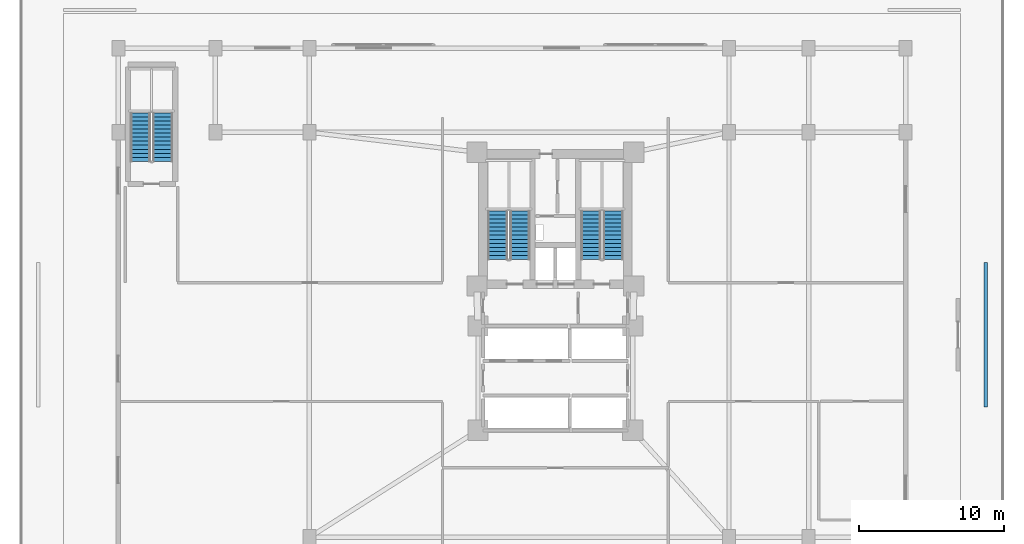
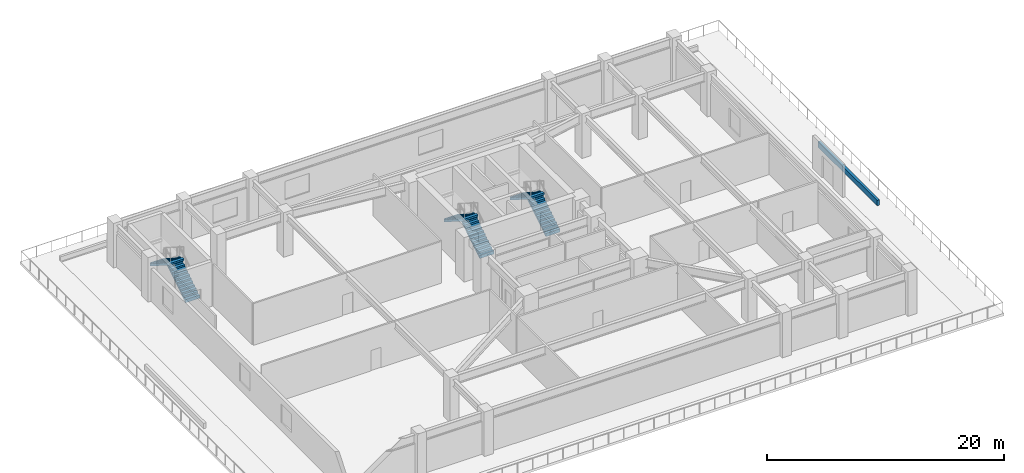
# One storey, part 8 of 10: 6 stair flights, 1 wall, 3 elements without a shape of their own.
"""IFC4 building model written with IfcOpenShell, lengths in metres."""

from ifc_helpers import new_model, si_unit, direction, frame, frame_2d, origin, place, context, subcontext, project, spatial, polyline, rectangle, outline, extrude, material, layer, layer_set, type_object, element, aggregate, save


model = new_model("IFC4")

# Units and contexts
model_context = context("Model", 3, precision=1e-05, world=origin(), true_north=direction((0.0, 1.0)))
body_context = subcontext(model_context, "Body", "Model", "MODEL_VIEW")
ifc_project = project(units=[si_unit("LENGTHUNIT", "METRE"), si_unit("AREAUNIT", "SQUARE_METRE"), si_unit("VOLUMEUNIT", "CUBIC_METRE"), si_unit("PLANEANGLEUNIT", "RADIAN"), si_unit("MASSUNIT", "GRAM", prefix="KILO")], contexts=[model_context])

# Site, building, storey
site_placement = place(None, origin())
site = spatial("IfcSite", under=ifc_project, at=site_placement, CompositionType="ELEMENT")
building_placement = place(site_placement, origin())
building = spatial("IfcBuilding", under=site, at=building_placement, Name="Varnakorn Sky Granary", CompositionType="ELEMENT")
storey_placement = place(building_placement, frame((0.0, 0.0, 9.199951171875)))
storey = spatial("IfcBuildingStorey", under=building, at=storey_placement, Name="L02", CompositionType="ELEMENT", Elevation=9.199951171875)

# Wall
ifc_material_1 = material(Name="Precast concrete C40/50", Category="concrete")
ifc_layer = layer(ifc_material_1, 0.239990234375, Name="Precast concrete C40/50")
ifc_layer_set = layer_set([ifc_layer], Name="Precast concrete C40/50")
wall_type = type_object("IfcWallType", Name="WT-WP-PLN-240", PredefinedType="PARAPET", material=ifc_layer_set)
wall_placement = place(storey_placement, frame((32.75, -5.0, 0.0), z_axis=(0.0, 0.0, 1.0), x_axis=(0.0, 1.0, 0.0)))
element("IfcWall", 1, at=wall_placement, inside=storey, type_object=wall_type, Name="Cascading Terrace Cultivar Planter Bed PLANTER L02-2", PredefinedType="PARAPET", context=body_context, shape_type="SweptSolid", body=[
    extrude(rectangle(XDim=10.0, YDim=0.239990234375, at=frame_2d((5.0, 0.0))), origin(), (0.0, 0.0, 1.0), 0.550048828125),
])

# Stair, stair flights
ifc_material_2 = material(Name="Concrete C40/50", Category="concrete")
stair_type = type_object("IfcStairType", Name="ST-MAIN-ASSEMBLY", PredefinedType="HALF_TURN_STAIR", material=ifc_material_2)
stair_1_placement = place(storey_placement, origin())
stair_1 = element("IfcStair", 2, at=stair_1_placement, inside=storey, type_object=stair_type, Name="L02 Protected Exit Stair ST-1", PredefinedType="HALF_TURN_STAIR")
stair_flight_type = type_object("IfcStairFlightType", Name="ST-MAIN-FLIGHT", PredefinedType="STRAIGHT", material=ifc_material_2)
stair_flight_1_placement = place(storey_placement, frame((0.550048828125, 5.199951171875, 0.0), z_axis=(0.0, 0.0, 1.0), x_axis=(0.0, 1.0, 0.0)))
stair_flight_1 = element("IfcStairFlight", 3, at=stair_flight_1_placement, type_object=stair_flight_type, Name="ST-1 flight 1", NumberOfRisers=13, NumberOfTreads=12, PredefinedType="STRAIGHT", RiserHeight=0.176923077, TreadLength=0.28, context=body_context, shape_type="SweptSolid", body=[
    extrude(outline(polyline([(0.0, -0.14990234375), (0.0, 0.0), (0.0, 0.177001953125), (0.280029296875, 0.177001953125), (0.280029296875, 0.353759765625), (0.56005859375, 0.353759765625), (0.56005859375, 0.53076171875), (0.840087890625, 0.53076171875), (0.840087890625, 0.707763671875), (1.1201171875, 0.707763671875), (1.1201171875, 0.884521484375), (1.39990234375, 0.884521484375), (1.39990234375, 1.0615234375), (1.679931640625, 1.0615234375), (1.679931640625, 1.238525390625), (1.9599609375, 1.238525390625), (1.9599609375, 1.415283203125), (2.239990234375, 1.415283203125), (2.239990234375, 1.59228515625), (2.52001953125, 1.59228515625), (2.52001953125, 1.769287109375), (2.800048828125, 1.769287109375), (2.800048828125, 1.946044921875), (3.080078125, 1.946044921875), (3.080078125, 2.123046875), (3.360107421875, 2.123046875), (3.360107421875, 2.300048828125), (3.360107421875, 1.94580078125), (0.050048828125, -0.14990234375), (0.0, -0.14990234375)])), frame((0.0, 0.68994140625, 0.0), z_axis=(0.0, -1.0, 0.0), x_axis=(1.0, 0.0, 0.0)), (0.0, 0.0, 1.0), 1.3798828125),
])
stair_flight_2_placement = place(storey_placement, frame((-0.97998046875, 8.56005859375, 2.300048828125), z_axis=(0.0, 0.0, 1.0), x_axis=(0.0, -1.0, 0.0)))
stair_flight_2 = element("IfcStairFlight", 4, at=stair_flight_2_placement, type_object=stair_flight_type, Name="ST-1 flight 2", NumberOfRisers=13, NumberOfTreads=12, PredefinedType="STRAIGHT", RiserHeight=0.176923077, TreadLength=0.28, context=body_context, shape_type="SweptSolid", body=[
    extrude(outline(polyline([(0.0, -0.14990234375), (0.0, 0.0), (0.0, 0.177001953125), (0.280029296875, 0.177001953125), (0.280029296875, 0.353759765625), (0.56005859375, 0.353759765625), (0.56005859375, 0.53076171875), (0.840087890625, 0.53076171875), (0.840087890625, 0.707763671875), (1.1201171875, 0.707763671875), (1.1201171875, 0.884521484375), (1.39990234375, 0.884521484375), (1.39990234375, 1.0615234375), (1.679931640625, 1.0615234375), (1.679931640625, 1.238525390625), (1.9599609375, 1.238525390625), (1.9599609375, 1.415283203125), (2.239990234375, 1.415283203125), (2.239990234375, 1.59228515625), (2.52001953125, 1.59228515625), (2.52001953125, 1.769287109375), (2.800048828125, 1.769287109375), (2.800048828125, 1.946044921875), (3.080078125, 1.946044921875), (3.080078125, 2.123046875), (3.360107421875, 2.123046875), (3.360107421875, 2.300048828125), (3.360107421875, 1.94580078125), (0.050048828125, -0.14990234375), (0.0, -0.14990234375)])), frame((0.0, 0.68994140625, 0.0), z_axis=(0.0, -1.0, 0.0), x_axis=(1.0, 0.0, 0.0)), (0.0, 0.0, 1.0), 1.3798828125),
])
aggregate(stair_1, [stair_flight_1, stair_flight_2])

stair_2_placement = place(storey_placement, origin())
stair_2 = element("IfcStair", 5, at=stair_2_placement, inside=storey, type_object=stair_type, Name="L02 Protected Exit Stair ST-2", PredefinedType="HALF_TURN_STAIR")
stair_flight_3_placement = place(storey_placement, frame((6.989990234375, 5.199951171875, 0.0), z_axis=(0.0, 0.0, 1.0), x_axis=(0.0, 1.0, 0.0)))
stair_flight_3 = element("IfcStairFlight", 6, at=stair_flight_3_placement, type_object=stair_flight_type, Name="ST-2 flight 1", NumberOfRisers=13, NumberOfTreads=12, PredefinedType="STRAIGHT", RiserHeight=0.176923077, TreadLength=0.28, context=body_context, shape_type="SweptSolid", body=[
    extrude(outline(polyline([(0.0, -0.14990234375), (0.0, 0.0), (0.0, 0.177001953125), (0.280029296875, 0.177001953125), (0.280029296875, 0.353759765625), (0.56005859375, 0.353759765625), (0.56005859375, 0.53076171875), (0.840087890625, 0.53076171875), (0.840087890625, 0.707763671875), (1.1201171875, 0.707763671875), (1.1201171875, 0.884521484375), (1.39990234375, 0.884521484375), (1.39990234375, 1.0615234375), (1.679931640625, 1.0615234375), (1.679931640625, 1.238525390625), (1.9599609375, 1.238525390625), (1.9599609375, 1.415283203125), (2.239990234375, 1.415283203125), (2.239990234375, 1.59228515625), (2.52001953125, 1.59228515625), (2.52001953125, 1.769287109375), (2.800048828125, 1.769287109375), (2.800048828125, 1.946044921875), (3.080078125, 1.946044921875), (3.080078125, 2.123046875), (3.360107421875, 2.123046875), (3.360107421875, 2.300048828125), (3.360107421875, 1.94580078125), (0.050048828125, -0.14990234375), (0.0, -0.14990234375)])), frame((0.0, 0.68994140625, 0.0), z_axis=(0.0, -1.0, 0.0), x_axis=(1.0, 0.0, 0.0)), (0.0, 0.0, 1.0), 1.3798828125),
])
stair_flight_4_placement = place(storey_placement, frame((5.4599609375, 8.56005859375, 2.300048828125), z_axis=(0.0, 0.0, 1.0), x_axis=(0.0, -1.0, 0.0)))
stair_flight_4 = element("IfcStairFlight", 7, at=stair_flight_4_placement, type_object=stair_flight_type, Name="ST-2 flight 2", NumberOfRisers=13, NumberOfTreads=12, PredefinedType="STRAIGHT", RiserHeight=0.176923077, TreadLength=0.28, context=body_context, shape_type="SweptSolid", body=[
    extrude(outline(polyline([(0.0, -0.14990234375), (0.0, 0.0), (0.0, 0.177001953125), (0.280029296875, 0.177001953125), (0.280029296875, 0.353759765625), (0.56005859375, 0.353759765625), (0.56005859375, 0.53076171875), (0.840087890625, 0.53076171875), (0.840087890625, 0.707763671875), (1.1201171875, 0.707763671875), (1.1201171875, 0.884521484375), (1.39990234375, 0.884521484375), (1.39990234375, 1.0615234375), (1.679931640625, 1.0615234375), (1.679931640625, 1.238525390625), (1.9599609375, 1.238525390625), (1.9599609375, 1.415283203125), (2.239990234375, 1.415283203125), (2.239990234375, 1.59228515625), (2.52001953125, 1.59228515625), (2.52001953125, 1.769287109375), (2.800048828125, 1.769287109375), (2.800048828125, 1.946044921875), (3.080078125, 1.946044921875), (3.080078125, 2.123046875), (3.360107421875, 2.123046875), (3.360107421875, 2.300048828125), (3.360107421875, 1.94580078125), (0.050048828125, -0.14990234375), (0.0, -0.14990234375)])), frame((0.0, 0.68994140625, 0.0), z_axis=(0.0, -1.0, 0.0), x_axis=(1.0, 0.0, 0.0)), (0.0, 0.0, 1.0), 1.3798828125),
])
aggregate(stair_2, [stair_flight_3, stair_flight_4])

stair_3_placement = place(storey_placement, origin())
stair_3 = element("IfcStair", 8, at=stair_3_placement, inside=storey, type_object=stair_type, Name="L02 Podium and Basement Protected Exit Stair ST-B3", PredefinedType="HALF_TURN_STAIR")
stair_flight_5_placement = place(storey_placement, frame((-24.139892578125, 11.97998046875, 0.0), z_axis=(0.0, 0.0, 1.0), x_axis=(0.0, 1.0, 0.0)))
stair_flight_5 = element("IfcStairFlight", 9, at=stair_flight_5_placement, type_object=stair_flight_type, Name="ST-B3 flight 1", NumberOfRisers=13, NumberOfTreads=12, PredefinedType="STRAIGHT", RiserHeight=0.176923077, TreadLength=0.28, context=body_context, shape_type="SweptSolid", body=[
    extrude(outline(polyline([(0.0, -0.14990234375), (0.0, 0.0), (0.0, 0.177001953125), (0.280029296875, 0.177001953125), (0.280029296875, 0.353759765625), (0.56005859375, 0.353759765625), (0.56005859375, 0.53076171875), (0.840087890625, 0.53076171875), (0.840087890625, 0.707763671875), (1.1201171875, 0.707763671875), (1.1201171875, 0.884521484375), (1.39990234375, 0.884521484375), (1.39990234375, 1.0615234375), (1.679931640625, 1.0615234375), (1.679931640625, 1.238525390625), (1.9599609375, 1.238525390625), (1.9599609375, 1.415283203125), (2.239990234375, 1.415283203125), (2.239990234375, 1.59228515625), (2.52001953125, 1.59228515625), (2.52001953125, 1.769287109375), (2.800048828125, 1.769287109375), (2.800048828125, 1.946044921875), (3.080078125, 1.946044921875), (3.080078125, 2.123046875), (3.360107421875, 2.123046875), (3.360107421875, 2.300048828125), (3.360107421875, 1.94580078125), (0.050048828125, -0.14990234375), (0.0, -0.14990234375)])), frame((0.0, 0.68994140625, 0.0), z_axis=(0.0, -1.0, 0.0), x_axis=(1.0, 0.0, 0.0)), (0.0, 0.0, 1.0), 1.3798828125),
])
stair_flight_6_placement = place(storey_placement, frame((-25.669921875, 15.340087890625, 2.300048828125), z_axis=(0.0, 0.0, 1.0), x_axis=(0.0, -1.0, 0.0)))
stair_flight_6 = element("IfcStairFlight", 10, at=stair_flight_6_placement, type_object=stair_flight_type, Name="ST-B3 flight 2", NumberOfRisers=13, NumberOfTreads=12, PredefinedType="STRAIGHT", RiserHeight=0.176923077, TreadLength=0.28, context=body_context, shape_type="SweptSolid", body=[
    extrude(outline(polyline([(0.0, -0.14990234375), (0.0, 0.0), (0.0, 0.177001953125), (0.280029296875, 0.177001953125), (0.280029296875, 0.353759765625), (0.56005859375, 0.353759765625), (0.56005859375, 0.53076171875), (0.840087890625, 0.53076171875), (0.840087890625, 0.707763671875), (1.1201171875, 0.707763671875), (1.1201171875, 0.884521484375), (1.39990234375, 0.884521484375), (1.39990234375, 1.0615234375), (1.679931640625, 1.0615234375), (1.679931640625, 1.238525390625), (1.9599609375, 1.238525390625), (1.9599609375, 1.415283203125), (2.239990234375, 1.415283203125), (2.239990234375, 1.59228515625), (2.52001953125, 1.59228515625), (2.52001953125, 1.769287109375), (2.800048828125, 1.769287109375), (2.800048828125, 1.946044921875), (3.080078125, 1.946044921875), (3.080078125, 2.123046875), (3.360107421875, 2.123046875), (3.360107421875, 2.300048828125), (3.360107421875, 1.94580078125), (0.050048828125, -0.14990234375), (0.0, -0.14990234375)])), frame((0.0, 0.68994140625, 0.0), z_axis=(0.0, -1.0, 0.0), x_axis=(1.0, 0.0, 0.0)), (0.0, 0.0, 1.0), 1.3798828125),
])
aggregate(stair_3, [stair_flight_5, stair_flight_6])

save(model, "model.ifc")
